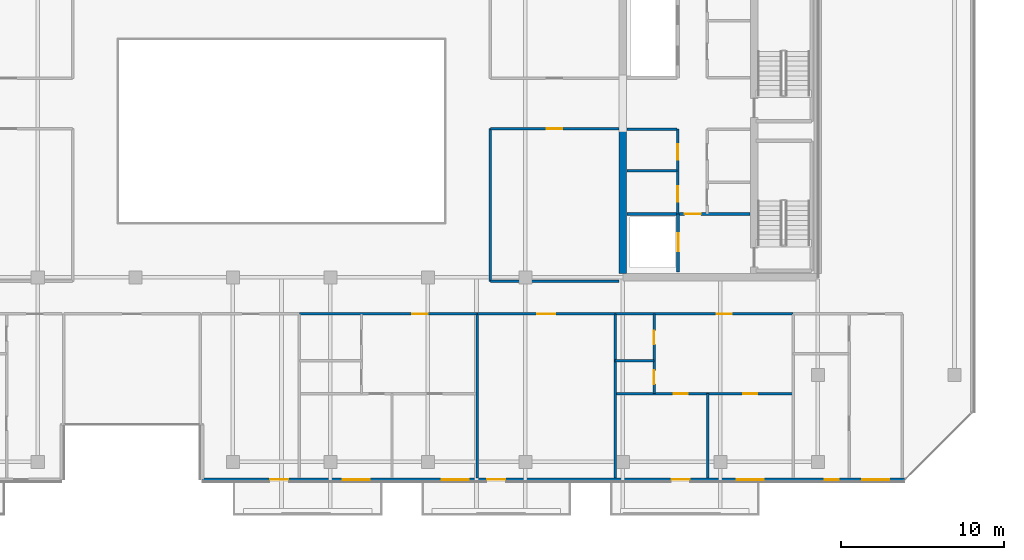
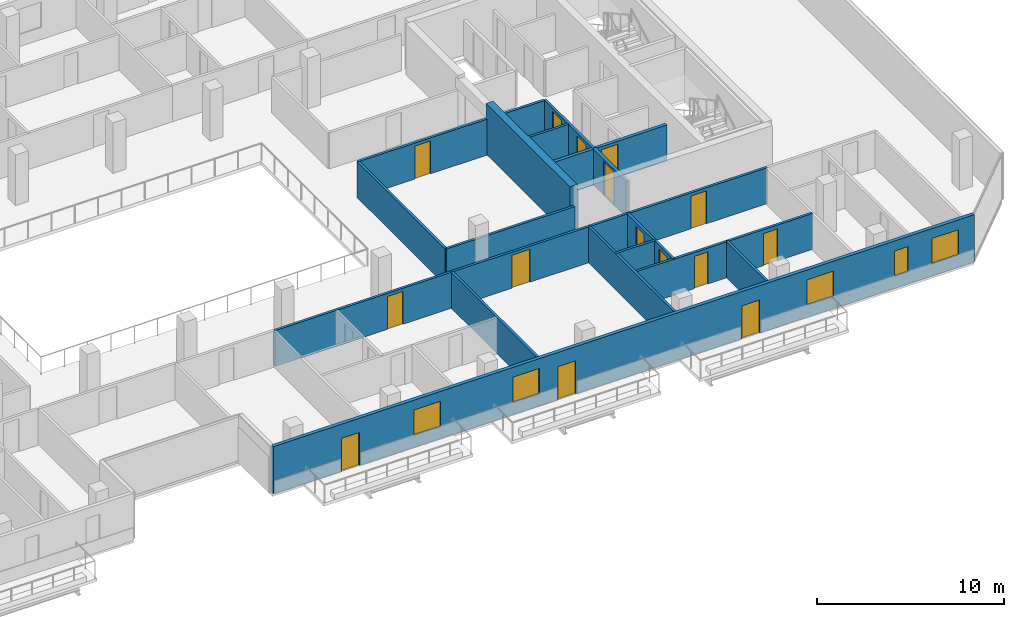
# One storey, part 20 of 29: 19 walls, 15 doors, 5 windows, 20 openings.
"""IFC4 building model written with IfcOpenShell, lengths in metres."""

from ifc_helpers import new_model, si_unit, direction, frame, frame_2d, origin, place, context, subcontext, project, spatial, rectangle, extrude, material, layer, layer_set, type_object, element, fill, save


model = new_model("IFC4")

# Units and contexts
model_context = context("Model", 3, precision=1e-05, world=origin(), true_north=direction((0.0, 1.0)))
body_context = subcontext(model_context, "Body", "Model", "MODEL_VIEW")
ifc_project = project(units=[si_unit("LENGTHUNIT", "METRE"), si_unit("AREAUNIT", "SQUARE_METRE"), si_unit("VOLUMEUNIT", "CUBIC_METRE"), si_unit("PLANEANGLEUNIT", "RADIAN"), si_unit("MASSUNIT", "GRAM", prefix="KILO")], contexts=[model_context])

# Site, building, storey
site_placement = place(None, origin())
site = spatial("IfcSite", under=ifc_project, at=site_placement, CompositionType="ELEMENT")
building_placement = place(site_placement, origin())
building = spatial("IfcBuilding", under=site, at=building_placement, Name="Tanjung Sevakor Pilgrim Tower", CompositionType="ELEMENT")
storey_placement = place(building_placement, frame((0.0, 0.0, 188.429931640625)))
storey = spatial("IfcBuildingStorey", under=building, at=storey_placement, Name="L52", CompositionType="ELEMENT", Elevation=188.429931640625)

# Walls
ifc_material_1 = material(Name="Concrete C60/75", Category="concrete")
ifc_layer_1 = layer(ifc_material_1, 0.449951171875)
ifc_layer_set_1 = layer_set([ifc_layer_1], Name="WALL-CW-450")
wall_type_1 = type_object("IfcWallType", Name="WALL-CW-450", PredefinedType="SHEAR", material=ifc_layer_set_1)
wall_1_placement = place(storey_placement, frame((78.0, 24.824951171875, 0.0), z_axis=(0.0, 0.0, 1.0), x_axis=(0.0, 1.0, 0.0)))
element("IfcWall", 1, at=wall_1_placement, inside=storey, type_object=wall_type_1, Name="L52 E Core Inner Shear Wall South", PredefinedType="SHEAR", context=body_context, shape_type="SweptSolid", body=[
    extrude(rectangle(XDim=8.97509765625, YDim=0.449951171875, at=frame_2d((4.487548828125, 0.0))), origin(), (0.0, 0.0, 1.0), 3.300048828125),
])
ifc_material_2 = material(Name="Concrete C40/50", Category="concrete")
ifc_layer_2 = layer(ifc_material_2, 0.14990234375)
ifc_layer_set_2 = layer_set([ifc_layer_2], Name="WT-COMP-150")
wall_type_2 = type_object("IfcWallType", Name="WT-COMP-150", PredefinedType="SOLIDWALL", material=ifc_layer_set_2)
for number, where, z_axis, x_axis, name in (
    (2, (78.2451171875, 31.14990234375, 0.0), (0.0, 0.0, 1.0), (1.0, 0.0, 0.0), "L52 Partition IW-L52-019"),
    (3, (78.2451171875, 33.719970703125, 0.0), (0.0, 0.0, 1.0), (1.0, 0.0, 0.0), "L52 Partition IW-L52-020"),
):
    element("IfcWall", number, at=place(storey_placement, frame(where, z_axis=z_axis, x_axis=x_axis)), inside=storey, type_object=wall_type_2, Name=name, PredefinedType="SOLIDWALL", context=body_context, shape_type="SweptSolid", body=[
        extrude(rectangle(XDim=3.074951171875, YDim=0.14990234375, at=frame_2d((1.53759765625, 0.0))), origin(), (0.0, 0.0, 1.0), 2.35009765625),
    ])

# Wall, openings, doors
wall_2_placement = place(storey_placement, frame((81.3798828125, 28.5, 0.0), z_axis=(0.0, 0.0, 1.0), x_axis=(0.0, 1.0, 0.0)))
wall_2 = element("IfcWall", 4, at=wall_2_placement, inside=storey, type_object=wall_type_2, Name="L52 Partition IW-L52-021", PredefinedType="SOLIDWALL", context=body_context, shape_type="SweptSolid", body=[
    extrude(rectangle(XDim=5.219970703125, YDim=0.14990234375, at=frame_2d((2.60986328125, 0.0))), origin(), (0.0, 0.0, 1.0), 2.35009765625),
])
opening_1_placement = place(wall_2_placement, frame((0.75, 0.0, 0.0)))
opening_1 = element("IfcOpeningElement", 5, at=opening_1_placement, cuts=wall_2, Name="Opening ID-FD2", PredefinedType="OPENING", context=body_context, shape_type="SweptSolid", body=[
    extrude(rectangle(XDim=0.949951171875, YDim=2.14990234375, at=frame_2d((0.47509765625, 1.074951171875))), frame((0.0, 0.0849609375, 0.0), z_axis=(0.0, -1.0, 0.0), x_axis=(1.0, 0.0, 0.0)), (0.0, 0.0, 1.0), 0.169921875),
])
opening_2_placement = place(wall_2_placement, frame((3.35009765625, 0.0, 0.0)))
opening_2 = element("IfcOpeningElement", 6, at=opening_2_placement, cuts=wall_2, Name="Opening ID-FD2", PredefinedType="OPENING", context=body_context, shape_type="SweptSolid", body=[
    extrude(rectangle(XDim=0.949951171875, YDim=2.14990234375, at=frame_2d((0.47509765625, 1.074951171875))), frame((0.0, 0.0849609375, 0.0), z_axis=(0.0, -1.0, 0.0), x_axis=(1.0, 0.0, 0.0)), (0.0, 0.0, 1.0), 0.169921875),
])
ifc_material_3 = material(Name="Fire-Rated Timber", Category="wood")
door_type_1 = type_object("IfcDoorType", Name="DT-FIRE-950", OperationType="NOTDEFINED", PredefinedType="DOOR", material=ifc_material_3)
door_1_placement = place(opening_1_placement, origin())
door_1 = element("IfcDoor", 7, at=door_1_placement, inside=storey, type_object=door_type_1, Name="L52 Accessible WC Door", OperationType="SINGLE_SWING_LEFT", OverallHeight=2.14990234375, OverallWidth=0.949951171875, PredefinedType="DOOR", context=body_context, shape_type="SweptSolid", body=[
    extrude(rectangle(XDim=0.949951171875, YDim=2.14990234375, at=frame_2d((0.47509765625, 1.074951171875))), frame((0.0, 0.02490234375, 0.0), z_axis=(0.0, -1.0, 0.0), x_axis=(1.0, 0.0, 0.0)), (0.0, 0.0, 1.0), 0.050048828125),
])
fill(opening_1, door_1)
door_2_placement = place(opening_2_placement, origin())
door_2 = element("IfcDoor", 8, at=door_2_placement, inside=storey, type_object=door_type_1, Name="L52 Core Service Door", OperationType="SINGLE_SWING_RIGHT", OverallHeight=2.14990234375, OverallWidth=0.949951171875, PredefinedType="DOOR", context=body_context, shape_type="SweptSolid", body=[
    extrude(rectangle(XDim=0.949951171875, YDim=2.14990234375, at=frame_2d((0.47509765625, 1.074951171875))), frame((0.0, 0.02490234375, 0.0), z_axis=(0.0, -1.0, 0.0), x_axis=(1.0, 0.0, 0.0)), (0.0, 0.0, 1.0), 0.050048828125),
])
fill(opening_2, door_2)

# Wall
wall_3_placement = place(storey_placement, frame((69.85009765625, 24.35009765625, 0.0), z_axis=(0.0, 0.0, 1.0), x_axis=(1.0, 0.0, 0.0)))
element("IfcWall", 9, at=wall_3_placement, inside=storey, type_object=wall_type_2, Name="L52 Partition IW-L52-033", PredefinedType="SOLIDWALL", context=body_context, shape_type="SweptSolid", body=[
    extrude(rectangle(XDim=7.90478515625, YDim=0.14990234375, at=frame_2d((3.952392578125, 0.0))), origin(), (0.0, 0.0, 1.0), 2.35009765625),
])

# Wall, opening, door
wall_4_placement = place(storey_placement, frame((69.85009765625, 33.75, 0.0), z_axis=(0.0, 0.0, 1.0), x_axis=(1.0, 0.0, 0.0)))
wall_4 = element("IfcWall", 10, at=wall_4_placement, inside=storey, type_object=wall_type_2, Name="L52 Partition IW-L52-034", PredefinedType="SOLIDWALL", context=body_context, shape_type="SweptSolid", body=[
    extrude(rectangle(XDim=7.90478515625, YDim=0.14990234375, at=frame_2d((3.952392578125, 0.0))), origin(), (0.0, 0.0, 1.0), 2.35009765625),
])
opening_3_placement = place(wall_4_placement, frame((3.4775390625, 0.0, 0.0)))
opening_3 = element("IfcOpeningElement", 11, at=opening_3_placement, cuts=wall_4, Name="Opening ID-RM1", PredefinedType="OPENING", context=body_context, shape_type="SweptSolid", body=[
    extrude(rectangle(XDim=0.949951171875, YDim=2.14990234375, at=frame_2d((0.47509765625, 1.074951171875))), frame((0.0, 0.0849609375, 0.0), z_axis=(0.0, -1.0, 0.0), x_axis=(1.0, 0.0, 0.0)), (0.0, 0.0, 1.0), 0.169921875),
])
ifc_material_4 = material(Name="Hardwood Timber", Category="wood")
door_type_2 = type_object("IfcDoorType", Name="DT-INT-950", OperationType="NOTDEFINED", PredefinedType="DOOR", material=ifc_material_4)
door_3_placement = place(opening_3_placement, origin())
door_3 = element("IfcDoor", 12, at=door_3_placement, inside=storey, type_object=door_type_2, Name="L52 East Inboard South Door", OperationType="SINGLE_SWING_LEFT", OverallHeight=2.14990234375, OverallWidth=0.949951171875, PredefinedType="DOOR", context=body_context, shape_type="SweptSolid", body=[
    extrude(rectangle(XDim=0.949951171875, YDim=2.14990234375, at=frame_2d((0.47509765625, 1.074951171875))), frame((0.0, 0.02490234375, 0.0), z_axis=(0.0, -1.0, 0.0), x_axis=(1.0, 0.0, 0.0)), (0.0, 0.0, 1.0), 0.050048828125),
])
fill(opening_3, door_3)

# Walls
wall_5_placement = place(storey_placement, frame((69.85009765625, 24.35009765625, 0.0), z_axis=(0.0, 0.0, 1.0), x_axis=(0.0, 1.0, 0.0)))
element("IfcWall", 13, at=wall_5_placement, inside=storey, type_object=wall_type_2, Name="L52 Partition IW-L52-035", PredefinedType="SOLIDWALL", context=body_context, shape_type="SweptSolid", body=[
    extrude(rectangle(XDim=9.39990234375, YDim=0.14990234375, at=frame_2d((4.699951171875, 0.0))), origin(), (0.0, 0.0, 1.0), 2.35009765625),
])
wall_6_placement = place(storey_placement, frame((69.05322265625, 12.27001953125, 0.0), z_axis=(0.0, 0.0, 1.0), x_axis=(0.0, 1.0, 0.0)))
element("IfcWall", 14, at=wall_6_placement, inside=storey, type_object=wall_type_2, Name="L52 Partition IW-L52-060", PredefinedType="SOLIDWALL", context=body_context, shape_type="SweptSolid", body=[
    extrude(rectangle(XDim=10.080078125, YDim=0.14990234375, at=frame_2d((5.0400390625, 0.0))), origin(), (0.0, 0.0, 1.0), 2.35009765625),
])

# Wall, opening, door
wall_7_placement = place(storey_placement, frame((58.096435546875, 22.35009765625, 0.0), z_axis=(0.0, 0.0, 1.0), x_axis=(1.0, 0.0, 0.0)))
wall_7 = element("IfcWall", 15, at=wall_7_placement, inside=storey, type_object=wall_type_2, Name="L52 Partition IW-L52-065", PredefinedType="SOLIDWALL", context=body_context, shape_type="SweptSolid", body=[
    extrude(rectangle(XDim=10.956787109375, YDim=0.14990234375, at=frame_2d((5.478515625, 0.0))), origin(), (0.0, 0.0, 1.0), 2.35009765625),
])
opening_4_placement = place(wall_7_placement, frame((6.955078125, 0.0, 0.0)))
opening_4 = element("IfcOpeningElement", 16, at=opening_4_placement, cuts=wall_7, Name="Opening ID-FD2", PredefinedType="OPENING", context=body_context, shape_type="SweptSolid", body=[
    extrude(rectangle(XDim=0.949951171875, YDim=2.14990234375, at=frame_2d((0.47509765625, 1.074951171875))), frame((0.0, 0.0849609375, 0.0), z_axis=(0.0, -1.0, 0.0), x_axis=(1.0, 0.0, 0.0)), (0.0, 0.0, 1.0), 0.169921875),
])
door_4_placement = place(opening_4_placement, origin())
door_4 = element("IfcDoor", 17, at=door_4_placement, inside=storey, type_object=door_type_1, Name="Suite Entrance", OperationType="SINGLE_SWING_LEFT", OverallHeight=2.14990234375, OverallWidth=0.949951171875, PredefinedType="DOOR", context=body_context, shape_type="SweptSolid", body=[
    extrude(rectangle(XDim=0.949951171875, YDim=2.14990234375, at=frame_2d((0.47509765625, 1.074951171875))), frame((0.0, 0.02490234375, 0.0), z_axis=(0.0, -1.0, 0.0), x_axis=(1.0, 0.0, 0.0)), (0.0, 0.0, 1.0), 0.050048828125),
])
fill(opening_4, door_4)

# Wall
wall_8_placement = place(storey_placement, frame((77.519775390625, 12.27001953125, 0.0), z_axis=(0.0, 0.0, 1.0), x_axis=(0.0, 1.0, 0.0)))
element("IfcWall", 18, at=wall_8_placement, inside=storey, type_object=wall_type_2, Name="L52 Partition IW-L52-066", PredefinedType="SOLIDWALL", context=body_context, shape_type="SweptSolid", body=[
    extrude(rectangle(XDim=10.080078125, YDim=0.14990234375, at=frame_2d((5.0400390625, 0.0))), origin(), (0.0, 0.0, 1.0), 2.35009765625),
])

# Wall, opening, door
wall_9_placement = place(storey_placement, frame((69.05322265625, 22.35009765625, 0.0), z_axis=(0.0, 0.0, 1.0), x_axis=(1.0, 0.0, 0.0)))
wall_9 = element("IfcWall", 19, at=wall_9_placement, inside=storey, type_object=wall_type_2, Name="L52 Partition IW-L52-067", PredefinedType="SOLIDWALL", context=body_context, shape_type="SweptSolid", body=[
    extrude(rectangle(XDim=8.466552734375, YDim=0.14990234375, at=frame_2d((4.2333984375, 0.0))), origin(), (0.0, 0.0, 1.0), 2.35009765625),
])
opening_5_placement = place(wall_9_placement, frame((3.683349609375, 0.0, 0.0)))
opening_5 = element("IfcOpeningElement", 20, at=opening_5_placement, cuts=wall_9, Name="Opening ID-FD0", PredefinedType="OPENING", context=body_context, shape_type="SweptSolid", body=[
    extrude(rectangle(XDim=1.10009765625, YDim=2.14990234375, at=frame_2d((0.550048828125, 1.074951171875))), frame((0.0, 0.0849609375, 0.0), z_axis=(0.0, -1.0, 0.0), x_axis=(1.0, 0.0, 0.0)), (0.0, 0.0, 1.0), 0.169921875),
])
ifc_material_5 = material(Name="Fire-Rated Steel S355J2", Category="steel")
door_type_3 = type_object("IfcDoorType", Name="DT-FIRE-1100", OperationType="NOTDEFINED", PredefinedType="DOOR", material=ifc_material_5)
door_5_placement = place(opening_5_placement, origin())
door_5 = element("IfcDoor", 21, at=door_5_placement, inside=storey, type_object=door_type_3, Name="Communal Lounge Door", OperationType="SINGLE_SWING_RIGHT", OverallHeight=2.14990234375, OverallWidth=1.10009765625, PredefinedType="DOOR", context=body_context, shape_type="SweptSolid", body=[
    extrude(rectangle(XDim=1.10009765625, YDim=2.14990234375, at=frame_2d((0.550048828125, 1.074951171875))), frame((0.0, 0.02490234375, 0.0), z_axis=(0.0, -1.0, 0.0), x_axis=(1.0, 0.0, 0.0)), (0.0, 0.0, 1.0), 0.050048828125),
])
fill(opening_5, door_5)

wall_10_placement = place(storey_placement, frame((77.519775390625, 22.35009765625, 0.0), z_axis=(0.0, 0.0, 1.0), x_axis=(1.0, 0.0, 0.0)))
wall_10 = element("IfcWall", 22, at=wall_10_placement, inside=storey, type_object=wall_type_2, Name="L52 Partition IW-L52-073", PredefinedType="SOLIDWALL", context=body_context, shape_type="SweptSolid", body=[
    extrude(rectangle(XDim=10.956787109375, YDim=0.14990234375, at=frame_2d((5.478515625, 0.0))), origin(), (0.0, 0.0, 1.0), 2.35009765625),
])
opening_6_placement = place(wall_10_placement, frame((6.243408203125, 0.0, 0.0)))
opening_6 = element("IfcOpeningElement", 23, at=opening_6_placement, cuts=wall_10, Name="Opening ID-FD2", PredefinedType="OPENING", context=body_context, shape_type="SweptSolid", body=[
    extrude(rectangle(XDim=0.949951171875, YDim=2.14990234375, at=frame_2d((0.47509765625, 1.074951171875))), frame((0.0, 0.0849609375, 0.0), z_axis=(0.0, -1.0, 0.0), x_axis=(1.0, 0.0, 0.0)), (0.0, 0.0, 1.0), 0.169921875),
])
door_6_placement = place(opening_6_placement, origin())
door_6 = element("IfcDoor", 24, at=door_6_placement, inside=storey, type_object=door_type_1, Name="Suite Entrance", OperationType="SINGLE_SWING_LEFT", OverallHeight=2.14990234375, OverallWidth=0.949951171875, PredefinedType="DOOR", context=body_context, shape_type="SweptSolid", body=[
    extrude(rectangle(XDim=0.949951171875, YDim=2.14990234375, at=frame_2d((0.47509765625, 1.074951171875))), frame((0.0, 0.02490234375, 0.0), z_axis=(0.0, -1.0, 0.0), x_axis=(1.0, 0.0, 0.0)), (0.0, 0.0, 1.0), 0.050048828125),
])
fill(opening_6, door_6)

# Wall, openings, doors, windows
ifc_material_6 = material(Name="Precast concrete C45/55", Category="concrete")
ifc_layer_3 = layer(ifc_material_6, 0.219970703125)
ifc_layer_set_3 = layer_set([ifc_layer_3], Name="WT-EW-STN4")
wall_type_3 = type_object("IfcWallType", Name="WT-EW-STN4", PredefinedType="SOLIDWALL", material=ifc_layer_set_3)
wall_11_placement = place(storey_placement, frame((52.110107421875, 12.159912109375, 0.0), z_axis=(0.0, 0.0, 1.0), x_axis=(1.0, 0.0, 0.0)))
wall_11 = element("IfcWall", 25, at=wall_11_placement, inside=storey, type_object=wall_type_3, Name="L52 MAIN Exterior Wall 5", PredefinedType="SOLIDWALL", context=body_context, shape_type="SweptSolid", body=[
    extrude(rectangle(XDim=43.244384765625, YDim=0.219970703125, at=frame_2d((21.6220703125, 0.0))), origin(), (0.0, 0.0, 1.0), 3.080078125),
])
opening_7_placement = place(wall_11_placement, frame((4.18994140625, 0.0, 0.0)))
opening_7 = element("IfcOpeningElement", 26, at=opening_7_placement, cuts=wall_11, Name="Opening ED-BAL-1100", PredefinedType="OPENING", context=body_context, shape_type="SweptSolid", body=[
    extrude(rectangle(XDim=1.10009765625, YDim=2.14990234375, at=frame_2d((0.550048828125, 1.074951171875))), frame((0.0, 0.119873046875, 0.0), z_axis=(0.0, -1.0, 0.0), x_axis=(1.0, 0.0, 0.0)), (0.0, 0.0, 1.0), 0.239990234375),
])
opening_8_placement = place(wall_11_placement, frame((17.5400390625, 0.0, 0.0)))
opening_8 = element("IfcOpeningElement", 27, at=opening_8_placement, cuts=wall_11, Name="Opening ED-BAL-1100", PredefinedType="OPENING", context=body_context, shape_type="SweptSolid", body=[
    extrude(rectangle(XDim=1.10009765625, YDim=2.14990234375, at=frame_2d((0.550048828125, 1.074951171875))), frame((0.0, 0.119873046875, 0.0), z_axis=(0.0, -1.0, 0.0), x_axis=(1.0, 0.0, 0.0)), (0.0, 0.0, 1.0), 0.239990234375),
])
opening_9_placement = place(wall_11_placement, frame((28.889892578125, 0.0, 0.0)))
opening_9 = element("IfcOpeningElement", 28, at=opening_9_placement, cuts=wall_11, Name="Opening ED-BAL-1100", PredefinedType="OPENING", context=body_context, shape_type="SweptSolid", body=[
    extrude(rectangle(XDim=1.10009765625, YDim=2.14990234375, at=frame_2d((0.550048828125, 1.074951171875))), frame((0.0, 0.119873046875, 0.0), z_axis=(0.0, -1.0, 0.0), x_axis=(1.0, 0.0, 0.0)), (0.0, 0.0, 1.0), 0.239990234375),
])
opening_10_placement = place(wall_11_placement, frame((8.66015625, 0.0, 0.780029296875)))
opening_10 = element("IfcOpeningElement", 29, at=opening_10_placement, cuts=wall_11, Name="Opening WN-Z4-1660", PredefinedType="OPENING", context=body_context, shape_type="SweptSolid", body=[
    extrude(rectangle(XDim=1.64990234375, YDim=1.659912109375, at=frame_2d((0.824951171875, 0.830078125))), frame((0.0, 0.119873046875, 0.0), z_axis=(0.0, -1.0, 0.0), x_axis=(1.0, 0.0, 0.0)), (0.0, 0.0, 1.0), 0.239990234375),
])
opening_11_placement = place(wall_11_placement, frame((14.758544921875, 0.0, 0.780029296875)))
opening_11 = element("IfcOpeningElement", 30, at=opening_11_placement, cuts=wall_11, Name="Opening WN-Z4-1660", PredefinedType="OPENING", context=body_context, shape_type="SweptSolid", body=[
    extrude(rectangle(XDim=1.64990234375, YDim=1.659912109375, at=frame_2d((0.824951171875, 0.830078125))), frame((0.0, 0.119873046875, 0.0), z_axis=(0.0, -1.0, 0.0), x_axis=(1.0, 0.0, 0.0)), (0.0, 0.0, 1.0), 0.239990234375),
])
opening_12_placement = place(wall_11_placement, frame((32.90185546875, 0.0, 0.780029296875)))
opening_12 = element("IfcOpeningElement", 31, at=opening_12_placement, cuts=wall_11, Name="Opening WN-Z4-1660", PredefinedType="OPENING", context=body_context, shape_type="SweptSolid", body=[
    extrude(rectangle(XDim=1.64990234375, YDim=1.659912109375, at=frame_2d((0.824951171875, 0.830078125))), frame((0.0, 0.119873046875, 0.0), z_axis=(0.0, -1.0, 0.0), x_axis=(1.0, 0.0, 0.0)), (0.0, 0.0, 1.0), 0.239990234375),
])
opening_13_placement = place(wall_11_placement, frame((38.313232421875, 0.0, 0.780029296875)))
opening_13 = element("IfcOpeningElement", 32, at=opening_13_placement, cuts=wall_11, Name="Opening WN-SLM", PredefinedType="OPENING", context=body_context, shape_type="SweptSolid", body=[
    extrude(rectangle(XDim=0.85009765625, YDim=1.64990234375, at=frame_2d((0.425048828125, 0.824951171875))), frame((0.0, 0.119873046875, 0.0), z_axis=(0.0, -1.0, 0.0), x_axis=(1.0, 0.0, 0.0)), (0.0, 0.0, 1.0), 0.239990234375),
])
opening_14_placement = place(wall_11_placement, frame((40.614990234375, 0.0, 0.780029296875)))
opening_14 = element("IfcOpeningElement", 33, at=opening_14_placement, cuts=wall_11, Name="Opening WN-Z4-1660", PredefinedType="OPENING", context=body_context, shape_type="SweptSolid", body=[
    extrude(rectangle(XDim=1.64990234375, YDim=1.659912109375, at=frame_2d((0.824951171875, 0.830078125))), frame((0.0, 0.119873046875, 0.0), z_axis=(0.0, -1.0, 0.0), x_axis=(1.0, 0.0, 0.0)), (0.0, 0.0, 1.0), 0.239990234375),
])
ifc_material_7 = material(Name="Anodised Aluminium and Laminated Glass", Category="aluminium")
door_type_4 = type_object("IfcDoorType", Name="DTYP-ED-BAL-1100", OperationType="NOTDEFINED", PredefinedType="DOOR", material=ifc_material_7)
door_7_placement = place(opening_7_placement, frame((1.10009765625, 0.0, 0.0), z_axis=(0.0, 0.0, 1.0), x_axis=(-1.0, 0.0, 0.0)))
door_7 = element("IfcDoor", 34, at=door_7_placement, inside=storey, type_object=door_type_4, Name="L52 Balcony Door MAIN-S2", OperationType="SINGLE_SWING_RIGHT", OverallHeight=2.14990234375, OverallWidth=1.10009765625, PredefinedType="DOOR", context=body_context, shape_type="SweptSolid", body=[
    extrude(rectangle(XDim=1.10009765625, YDim=2.14990234375, at=frame_2d((0.550048828125, 1.074951171875))), frame((0.0, 0.02490234375, 0.0), z_axis=(0.0, -1.0, 0.0), x_axis=(1.0, 0.0, 0.0)), (0.0, 0.0, 1.0), 0.050048828125),
])
fill(opening_7, door_7)
door_8_placement = place(opening_8_placement, frame((1.10009765625, 0.0, 0.0), z_axis=(0.0, 0.0, 1.0), x_axis=(-1.0, 0.0, 0.0)))
door_8 = element("IfcDoor", 35, at=door_8_placement, inside=storey, type_object=door_type_4, Name="L52 Balcony Door MAIN-S3", OperationType="SINGLE_SWING_LEFT", OverallHeight=2.14990234375, OverallWidth=1.10009765625, PredefinedType="DOOR", context=body_context, shape_type="SweptSolid", body=[
    extrude(rectangle(XDim=1.10009765625, YDim=2.14990234375, at=frame_2d((0.550048828125, 1.074951171875))), frame((0.0, 0.02490234375, 0.0), z_axis=(0.0, -1.0, 0.0), x_axis=(1.0, 0.0, 0.0)), (0.0, 0.0, 1.0), 0.050048828125),
])
fill(opening_8, door_8)
door_9_placement = place(opening_9_placement, frame((1.10009765625, 0.0, 0.0), z_axis=(0.0, 0.0, 1.0), x_axis=(-1.0, 0.0, 0.0)))
door_9 = element("IfcDoor", 36, at=door_9_placement, inside=storey, type_object=door_type_4, Name="L52 Balcony Door MAIN-S4", OperationType="SINGLE_SWING_RIGHT", OverallHeight=2.14990234375, OverallWidth=1.10009765625, PredefinedType="DOOR", context=body_context, shape_type="SweptSolid", body=[
    extrude(rectangle(XDim=1.10009765625, YDim=2.14990234375, at=frame_2d((0.550048828125, 1.074951171875))), frame((0.0, 0.02490234375, 0.0), z_axis=(0.0, -1.0, 0.0), x_axis=(1.0, 0.0, 0.0)), (0.0, 0.0, 1.0), 0.050048828125),
])
fill(opening_9, door_9)
ifc_material_8 = material(Name="Thermally Broken Aluminium and Low-E Glass", Category="aluminium")
window_type_1 = type_object("IfcWindowType", Name="WTYP-WN-SLM", PartitioningType="SINGLE_PANEL", PredefinedType="WINDOW", material=ifc_material_8)
window_1_placement = place(opening_13_placement, origin())
window_1 = element("IfcWindow", 37, at=window_1_placement, inside=storey, type_object=window_type_1, Name="L52 Facade Window 04", OverallHeight=1.64990234375, OverallWidth=0.85009765625, PartitioningType="SINGLE_PANEL", PredefinedType="WINDOW", context=body_context, shape_type="SweptSolid", body=[
    extrude(rectangle(XDim=0.85009765625, YDim=1.64990234375, at=frame_2d((0.425048828125, 0.824951171875))), frame((0.0, 0.030029296875, 0.0), z_axis=(0.0, -1.0, 0.0), x_axis=(1.0, 0.0, 0.0)), (0.0, 0.0, 1.0), 0.06005859375),
])
fill(opening_13, window_1)
ifc_material_9 = material(Name="Thermally Broken Aluminium and Low-E Glass", Category="aluminium")
window_type_2 = type_object("IfcWindowType", Name="WTYP-WN-Z4-1660", PartitioningType="DOUBLE_PANEL_VERTICAL", PredefinedType="WINDOW", material=ifc_material_9)
window_2_placement = place(opening_10_placement, origin())
window_2 = element("IfcWindow", 38, at=window_2_placement, inside=storey, type_object=window_type_2, Name="L52 Facade Window 01", OverallHeight=1.659912109375, OverallWidth=1.64990234375, PartitioningType="SINGLE_PANEL", PredefinedType="WINDOW", context=body_context, shape_type="SweptSolid", body=[
    extrude(rectangle(XDim=1.64990234375, YDim=1.659912109375, at=frame_2d((0.824951171875, 0.830078125))), frame((0.0, 0.030029296875, 0.0), z_axis=(0.0, -1.0, 0.0), x_axis=(1.0, 0.0, 0.0)), (0.0, 0.0, 1.0), 0.06005859375),
])
fill(opening_10, window_2)
window_3_placement = place(opening_11_placement, origin())
window_3 = element("IfcWindow", 39, at=window_3_placement, inside=storey, type_object=window_type_2, Name="L52 Facade Window 02", OverallHeight=1.659912109375, OverallWidth=1.64990234375, PartitioningType="SINGLE_PANEL", PredefinedType="WINDOW", context=body_context, shape_type="SweptSolid", body=[
    extrude(rectangle(XDim=1.64990234375, YDim=1.659912109375, at=frame_2d((0.824951171875, 0.830078125))), frame((0.0, 0.030029296875, 0.0), z_axis=(0.0, -1.0, 0.0), x_axis=(1.0, 0.0, 0.0)), (0.0, 0.0, 1.0), 0.06005859375),
])
fill(opening_11, window_3)
window_4_placement = place(opening_12_placement, origin())
window_4 = element("IfcWindow", 40, at=window_4_placement, inside=storey, type_object=window_type_2, Name="L52 Facade Window 03", OverallHeight=1.659912109375, OverallWidth=1.64990234375, PartitioningType="SINGLE_PANEL", PredefinedType="WINDOW", context=body_context, shape_type="SweptSolid", body=[
    extrude(rectangle(XDim=1.64990234375, YDim=1.659912109375, at=frame_2d((0.824951171875, 0.830078125))), frame((0.0, 0.030029296875, 0.0), z_axis=(0.0, -1.0, 0.0), x_axis=(1.0, 0.0, 0.0)), (0.0, 0.0, 1.0), 0.06005859375),
])
fill(opening_12, window_4)
window_5_placement = place(opening_14_placement, origin())
window_5 = element("IfcWindow", 41, at=window_5_placement, inside=storey, type_object=window_type_2, Name="L52 Facade Window 05", OverallHeight=1.659912109375, OverallWidth=1.64990234375, PartitioningType="SINGLE_PANEL", PredefinedType="WINDOW", context=body_context, shape_type="SweptSolid", body=[
    extrude(rectangle(XDim=1.64990234375, YDim=1.659912109375, at=frame_2d((0.824951171875, 0.830078125))), frame((0.0, 0.030029296875, 0.0), z_axis=(0.0, -1.0, 0.0), x_axis=(1.0, 0.0, 0.0)), (0.0, 0.0, 1.0), 0.06005859375),
])
fill(opening_14, window_5)

# Wall, opening, door
ifc_material_10 = material(Name="Concrete C40/50", Category="concrete")
ifc_layer_4 = layer(ifc_material_10, 0.199951171875)
ifc_layer_set_4 = layer_set([ifc_layer_4], Name="WT-FPRT-200")
wall_type_4 = type_object("IfcWallType", Name="WT-FPRT-200", PredefinedType="SOLIDWALL", material=ifc_layer_set_4)
wall_12_placement = place(storey_placement, frame((81.39990234375, 24.919921875, 0.0), z_axis=(0.0, 0.0, 1.0), x_axis=(0.0, 1.0, 0.0)))
wall_12 = element("IfcWall", 42, at=wall_12_placement, inside=storey, type_object=wall_type_4, Name="L52 Partition IW-L52-014", PredefinedType="SOLIDWALL", context=body_context, shape_type="SweptSolid", body=[
    extrude(rectangle(XDim=3.580078125, YDim=0.199951171875, at=frame_2d((1.7900390625, 0.0))), origin(), (0.0, 0.0, 1.0), 2.35009765625),
])
opening_15_placement = place(wall_12_placement, frame((1.300048828125, 0.0, 0.0)))
opening_15 = element("IfcOpeningElement", 43, at=opening_15_placement, cuts=wall_12, Name="Opening LD-1100", PredefinedType="OPENING", context=body_context, shape_type="SweptSolid", body=[
    extrude(rectangle(XDim=1.10009765625, YDim=2.199951171875, at=frame_2d((0.550048828125, 1.10009765625))), frame((0.0, 0.10986328125, 0.0), z_axis=(0.0, -1.0, 0.0), x_axis=(1.0, 0.0, 0.0)), (0.0, 0.0, 1.0), 0.219970703125),
])
ifc_material_11 = material(Name="Brushed Stainless Steel S355J2", Category="steel")
door_type_5 = type_object("IfcDoorType", Name="DT-LIFT-1100", OperationType="SLIDING_TO_LEFT", PredefinedType="DOOR", material=ifc_material_11)
door_10_placement = place(opening_15_placement, origin())
door_10 = element("IfcDoor", 44, at=door_10_placement, inside=storey, type_object=door_type_5, Name="LD-FL-E", OperationType="SLIDING_TO_LEFT", OverallHeight=2.199951171875, OverallWidth=1.10009765625, PredefinedType="DOOR", context=body_context, shape_type="SweptSolid", body=[
    extrude(rectangle(XDim=1.10009765625, YDim=2.199951171875, at=frame_2d((0.550048828125, 1.10009765625))), frame((0.0, 0.02490234375, 0.0), z_axis=(0.0, -1.0, 0.0), x_axis=(1.0, 0.0, 0.0)), (0.0, 0.0, 1.0), 0.050048828125),
])
fill(opening_15, door_10)

wall_13_placement = place(storey_placement, frame((78.2451171875, 28.5, 0.0), z_axis=(0.0, 0.0, 1.0), x_axis=(1.0, 0.0, 0.0)))
wall_13 = element("IfcWall", 45, at=wall_13_placement, inside=storey, type_object=wall_type_4, Name="L52 Partition IW-L52-015", PredefinedType="SOLIDWALL", context=body_context, shape_type="SweptSolid", body=[
    extrude(rectangle(XDim=7.5849609375, YDim=0.199951171875, at=frame_2d((3.79248046875, 0.0))), origin(), (0.0, 0.0, 1.0), 2.35009765625),
])
opening_16_placement = place(wall_13_placement, frame((3.554931640625, 0.0, 0.0)))
opening_16 = element("IfcOpeningElement", 46, at=opening_16_placement, cuts=wall_13, Name="Opening ID-FD1", PredefinedType="OPENING", context=body_context, shape_type="SweptSolid", body=[
    extrude(rectangle(XDim=1.0, YDim=2.14990234375, at=frame_2d((0.5, 1.074951171875))), frame((0.0, 0.10986328125, 0.0), z_axis=(0.0, -1.0, 0.0), x_axis=(1.0, 0.0, 0.0)), (0.0, 0.0, 1.0), 0.219970703125),
])
ifc_material_12 = material(Name="Fire-Rated Steel S355J2", Category="steel")
door_type_6 = type_object("IfcDoorType", Name="DT-FIRE-1000", OperationType="NOTDEFINED", PredefinedType="DOOR", material=ifc_material_12)
door_11_placement = place(opening_16_placement, origin())
door_11 = element("IfcDoor", 47, at=door_11_placement, inside=storey, type_object=door_type_6, Name="Fire Lobby Door E", OperationType="SINGLE_SWING_RIGHT", OverallHeight=2.14990234375, OverallWidth=1.0, PredefinedType="DOOR", context=body_context, shape_type="SweptSolid", body=[
    extrude(rectangle(XDim=1.0, YDim=2.14990234375, at=frame_2d((0.5, 1.074951171875))), frame((0.0, 0.02490234375, 0.0), z_axis=(0.0, -1.0, 0.0), x_axis=(1.0, 0.0, 0.0)), (0.0, 0.0, 1.0), 0.050048828125),
])
fill(opening_16, door_11)

# Wall
ifc_material_13 = material(Name="Gypsum Board Partition", Category="gypsum board")
ifc_layer_5 = layer(ifc_material_13, 0.14990234375)
ifc_layer_set_5 = layer_set([ifc_layer_5], Name="WT-PART-150")
wall_type_5 = type_object("IfcWallType", Name="WT-PART-150", PredefinedType="PARTITIONING", material=ifc_layer_set_5)
wall_14_placement = place(storey_placement, frame((77.519775390625, 19.45751953125, 0.0), z_axis=(0.0, 0.0, 1.0), x_axis=(1.0, 0.0, 0.0)))
element("IfcWall", 48, at=wall_14_placement, inside=storey, type_object=wall_type_5, Name="L52 Partition IW-L52-069", PredefinedType="PARTITIONING", context=body_context, shape_type="SweptSolid", body=[
    extrude(rectangle(XDim=2.400146484375, YDim=0.14990234375, at=frame_2d((1.2001953125, 0.0))), origin(), (0.0, 0.0, 1.0), 2.35009765625),
])

# Wall, openings, doors
wall_15_placement = place(storey_placement, frame((79.919921875, 17.44775390625, 0.0), z_axis=(0.0, 0.0, 1.0), x_axis=(0.0, 1.0, 0.0)))
wall_15 = element("IfcWall", 49, at=wall_15_placement, inside=storey, type_object=wall_type_5, Name="L52 Partition IW-L52-070", PredefinedType="PARTITIONING", context=body_context, shape_type="SweptSolid", body=[
    extrude(rectangle(XDim=4.90234375, YDim=0.14990234375, at=frame_2d((2.451171875, 0.0))), origin(), (0.0, 0.0, 1.0), 2.35009765625),
])
opening_17_placement = place(wall_15_placement, frame((0.579833984375, 0.0, 0.0)))
opening_17 = element("IfcOpeningElement", 50, at=opening_17_placement, cuts=wall_15, Name="Opening ID-WC1", PredefinedType="OPENING", context=body_context, shape_type="SweptSolid", body=[
    extrude(rectangle(XDim=0.85009765625, YDim=2.10009765625, at=frame_2d((0.425048828125, 1.050048828125))), frame((0.0, 0.0849609375, 0.0), z_axis=(0.0, -1.0, 0.0), x_axis=(1.0, 0.0, 0.0)), (0.0, 0.0, 1.0), 0.169921875),
])
opening_18_placement = place(wall_15_placement, frame((3.031005859375, 0.0, 0.0)))
opening_18 = element("IfcOpeningElement", 51, at=opening_18_placement, cuts=wall_15, Name="Opening ID-WC1", PredefinedType="OPENING", context=body_context, shape_type="SweptSolid", body=[
    extrude(rectangle(XDim=0.85009765625, YDim=2.10009765625, at=frame_2d((0.425048828125, 1.050048828125))), frame((0.0, 0.0849609375, 0.0), z_axis=(0.0, -1.0, 0.0), x_axis=(1.0, 0.0, 0.0)), (0.0, 0.0, 1.0), 0.169921875),
])
ifc_material_14 = material(Name="Moisture-Resistant Timber", Category="wood")
door_type_7 = type_object("IfcDoorType", Name="DT-INT-850", OperationType="NOTDEFINED", PredefinedType="DOOR", material=ifc_material_14)
door_12_placement = place(opening_17_placement, origin())
door_12 = element("IfcDoor", 52, at=door_12_placement, inside=storey, type_object=door_type_7, Name="Suite Bathroom Door", OperationType="SINGLE_SWING_LEFT", OverallHeight=2.10009765625, OverallWidth=0.85009765625, PredefinedType="DOOR", context=body_context, shape_type="SweptSolid", body=[
    extrude(rectangle(XDim=0.85009765625, YDim=2.10009765625, at=frame_2d((0.425048828125, 1.050048828125))), frame((0.0, 0.02490234375, 0.0), z_axis=(0.0, -1.0, 0.0), x_axis=(1.0, 0.0, 0.0)), (0.0, 0.0, 1.0), 0.050048828125),
])
fill(opening_17, door_12)
door_13_placement = place(opening_18_placement, origin())
door_13 = element("IfcDoor", 53, at=door_13_placement, inside=storey, type_object=door_type_7, Name="Suite Kitchenette Door", OperationType="SINGLE_SWING_RIGHT", OverallHeight=2.10009765625, OverallWidth=0.85009765625, PredefinedType="DOOR", context=body_context, shape_type="SweptSolid", body=[
    extrude(rectangle(XDim=0.85009765625, YDim=2.10009765625, at=frame_2d((0.425048828125, 1.050048828125))), frame((0.0, 0.02490234375, 0.0), z_axis=(0.0, -1.0, 0.0), x_axis=(1.0, 0.0, 0.0)), (0.0, 0.0, 1.0), 0.050048828125),
])
fill(opening_18, door_13)

# Wall
wall_16_placement = place(storey_placement, frame((83.21728515625, 12.27001953125, 0.0), z_axis=(0.0, 0.0, 1.0), x_axis=(0.0, 1.0, 0.0)))
element("IfcWall", 54, at=wall_16_placement, inside=storey, type_object=wall_type_5, Name="L52 Partition IW-L52-071", PredefinedType="PARTITIONING", context=body_context, shape_type="SweptSolid", body=[
    extrude(rectangle(XDim=5.177734375, YDim=0.14990234375, at=frame_2d((2.5888671875, 0.0))), origin(), (0.0, 0.0, 1.0), 2.35009765625),
])

# Wall, openings, doors
wall_17_placement = place(storey_placement, frame((77.519775390625, 17.44775390625, 0.0), z_axis=(0.0, 0.0, 1.0), x_axis=(1.0, 0.0, 0.0)))
wall_17 = element("IfcWall", 55, at=wall_17_placement, inside=storey, type_object=wall_type_5, Name="L52 Partition IW-L52-072", PredefinedType="PARTITIONING", context=body_context, shape_type="SweptSolid", body=[
    extrude(rectangle(XDim=10.956787109375, YDim=0.14990234375, at=frame_2d((5.478515625, 0.0))), origin(), (0.0, 0.0, 1.0), 2.35009765625),
])
opening_19_placement = place(wall_17_placement, frame((3.623779296875, 0.0, 0.0)))
opening_19 = element("IfcOpeningElement", 56, at=opening_19_placement, cuts=wall_17, Name="Opening ID-WC1", PredefinedType="OPENING", context=body_context, shape_type="SweptSolid", body=[
    extrude(rectangle(XDim=0.85009765625, YDim=2.10009765625, at=frame_2d((0.425048828125, 1.050048828125))), frame((0.0, 0.0849609375, 0.0), z_axis=(0.0, -1.0, 0.0), x_axis=(1.0, 0.0, 0.0)), (0.0, 0.0, 1.0), 0.169921875),
])
opening_20_placement = place(wall_17_placement, frame((7.902099609375, 0.0, 0.0)))
opening_20 = element("IfcOpeningElement", 57, at=opening_20_placement, cuts=wall_17, Name="Opening ID-WC1", PredefinedType="OPENING", context=body_context, shape_type="SweptSolid", body=[
    extrude(rectangle(XDim=0.85009765625, YDim=2.10009765625, at=frame_2d((0.425048828125, 1.050048828125))), frame((0.0, 0.0849609375, 0.0), z_axis=(0.0, -1.0, 0.0), x_axis=(1.0, 0.0, 0.0)), (0.0, 0.0, 1.0), 0.169921875),
])
door_14_placement = place(opening_19_placement, origin())
door_14 = element("IfcDoor", 58, at=door_14_placement, inside=storey, type_object=door_type_7, Name="Suite Bedroom 1 Door", OperationType="SINGLE_SWING_LEFT", OverallHeight=2.10009765625, OverallWidth=0.85009765625, PredefinedType="DOOR", context=body_context, shape_type="SweptSolid", body=[
    extrude(rectangle(XDim=0.85009765625, YDim=2.10009765625, at=frame_2d((0.425048828125, 1.050048828125))), frame((0.0, 0.02490234375, 0.0), z_axis=(0.0, -1.0, 0.0), x_axis=(1.0, 0.0, 0.0)), (0.0, 0.0, 1.0), 0.050048828125),
])
fill(opening_19, door_14)
door_15_placement = place(opening_20_placement, origin())
door_15 = element("IfcDoor", 59, at=door_15_placement, inside=storey, type_object=door_type_7, Name="Suite Bedroom 2 Door", OperationType="SINGLE_SWING_RIGHT", OverallHeight=2.10009765625, OverallWidth=0.85009765625, PredefinedType="DOOR", context=body_context, shape_type="SweptSolid", body=[
    extrude(rectangle(XDim=0.85009765625, YDim=2.10009765625, at=frame_2d((0.425048828125, 1.050048828125))), frame((0.0, 0.02490234375, 0.0), z_axis=(0.0, -1.0, 0.0), x_axis=(1.0, 0.0, 0.0)), (0.0, 0.0, 1.0), 0.050048828125),
])
fill(opening_20, door_15)

save(model, "model.ifc")
